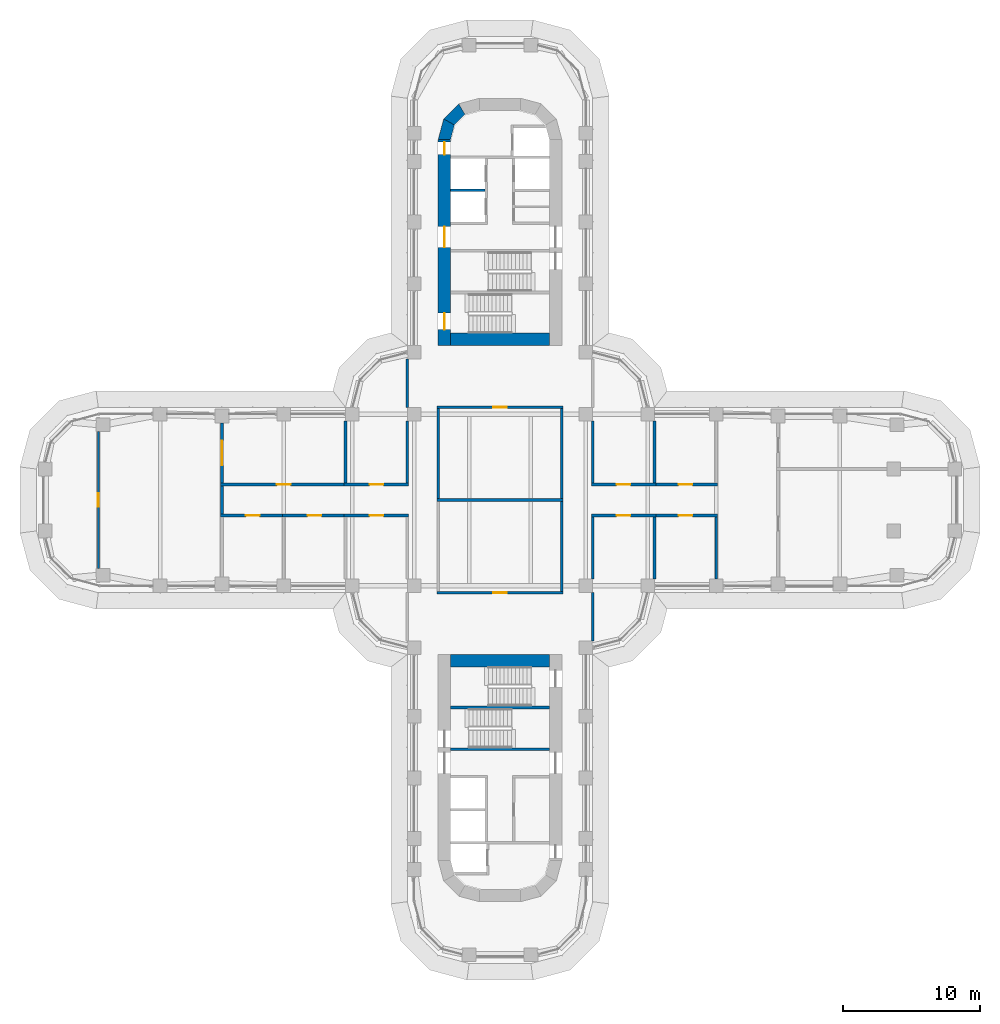
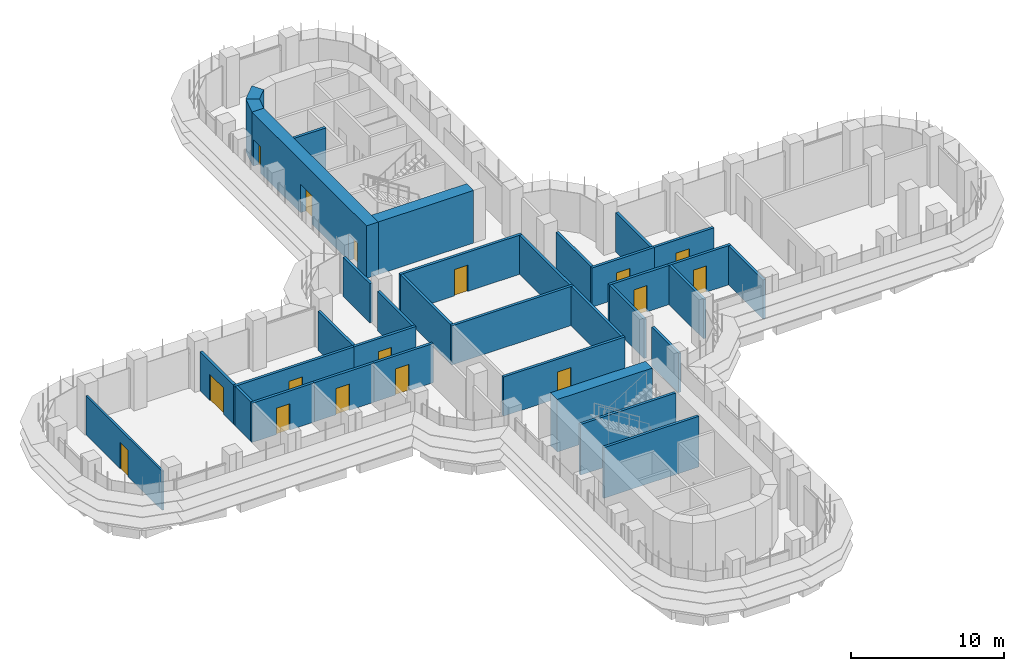
# One storey, part 17 of 23: 35 walls, 16 doors, 16 openings.
"""IFC4 building model written with IfcOpenShell, lengths in metres."""

import ifcopenshell
import ifcopenshell.guid

model = None  # the IFC model being written
_history = None  # IfcOwnerHistory: only IFC2X3 demands one
_inside = {}  # id of a spatial element -> (the spatial element, [elements in it])
_under = {}  # id of a project, library or spatial element -> (it, [spatial elements below it])
_declared = {}  # id of a project -> (the project, [libraries it declares])
_typed = {}  # id of a type object -> (the type object, [elements of that type])
_made_of = {}  # id of a material, layer set ... -> (it, [elements and type objects made of it])


def new_model(schema):
    """Start an empty IFC model of exactly this schema.

    Asked for "IFC4X3", IfcOpenShell would pick the latest addendum, in which some entities
    have other attributes; the version numbers below select the first issue.
    IFC2X3 requires an IfcOwnerHistory on every rooted entity: one is made here for all.
    """
    global model, _history
    if schema == "IFC4X3":
        model = ifcopenshell.file(schema_version=(4, 3, 0, 0))
    else:
        model = ifcopenshell.file(schema=schema)
    _inside.clear()
    _under.clear()
    _declared.clear()
    _typed.clear()
    _made_of.clear()
    _history = None
    if model.schema == "IFC2X3":
        org = make("IfcOrganization", Name="unknown")
        user = make(
            "IfcPersonAndOrganization",
            ThePerson=make("IfcPerson", FamilyName="unknown"),
            TheOrganization=org,
        )
        app = make(
            "IfcApplication",
            ApplicationDeveloper=org,
            Version="unknown",
            ApplicationFullName="unknown",
            ApplicationIdentifier="unknown",
        )
        _history = make(
            "IfcOwnerHistory",
            OwningUser=user,
            OwningApplication=app,
            ChangeAction="ADDED",
            CreationDate=0,
        )
    return model


def make(cls, **values):
    """One entity of the class cls with the attributes given. An attribute that is None is left unset."""
    return model.create_entity(
        cls, **{name: value for name, value in values.items() if value is not None}
    )


def rooted(cls, **values):
    """An entity with a GlobalId (a new one), such as an element, a storey or a relation."""
    return make(cls, GlobalId=ifcopenshell.guid.new(), OwnerHistory=_history, **values)


def si_unit(unit_type, name, prefix=None):
    """IfcSIUnit, for example si_unit("LENGTHUNIT", "METRE", prefix="MILLI")."""
    return make("IfcSIUnit", UnitType=unit_type, Prefix=prefix, Name=name)


def assignment(units):
    """IfcUnitAssignment: the units of a project."""
    return None if units is None else make("IfcUnitAssignment", Units=units)


def point(xyz):
    """IfcCartesianPoint."""
    return None if xyz is None else make("IfcCartesianPoint", Coordinates=xyz)


def direction(xyz):
    """IfcDirection."""
    return None if xyz is None else make("IfcDirection", DirectionRatios=xyz)


def frame(location, z_axis=None, x_axis=None):
    """IfcAxis2Placement3D, a coordinate frame: its origin and axes. An axis left out is left unset."""
    return make(
        "IfcAxis2Placement3D",
        Location=point(location),
        Axis=direction(z_axis),
        RefDirection=direction(x_axis),
    )


def frame_2d(location, x_axis=None):
    """IfcAxis2Placement2D, a coordinate frame in the plane: its origin and x axis."""
    return make(
        "IfcAxis2Placement2D", Location=point(location), RefDirection=direction(x_axis)
    )


def origin():
    """The frame at (0, 0, 0) with its axes left unset."""
    return frame((0.0, 0.0, 0.0))


def place(relative_to, where):
    """IfcLocalPlacement: puts the frame where relative to a parent placement (None: the world)."""
    return make(
        "IfcLocalPlacement", PlacementRelTo=relative_to, RelativePlacement=where
    )


def context(
    kind, dimensions, precision=None, world=None, true_north=None, identifier=None
):
    """IfcGeometricRepresentationContext, for example the 3D "Model" context."""
    return make(
        "IfcGeometricRepresentationContext",
        ContextIdentifier=identifier,
        ContextType=kind,
        CoordinateSpaceDimension=dimensions,
        Precision=precision,
        WorldCoordinateSystem=world,
        TrueNorth=true_north,
    )


def subcontext(parent, identifier, kind, view, scale=None):
    """IfcGeometricRepresentationSubContext, for example "Body" below "Model"."""
    return make(
        "IfcGeometricRepresentationSubContext",
        ContextIdentifier=identifier,
        ContextType=kind,
        ParentContext=parent,
        TargetScale=scale,
        TargetView=view,
    )


def project(units=None, contexts=None):
    """IfcProject with its units and contexts."""
    return rooted(
        "IfcProject",
        Name="project",
        RepresentationContexts=contexts,
        UnitsInContext=assignment(units),
    )


def spatial(cls, under=None, at=None, **own):
    """A site, building, storey or space (cls), placed at a placement, below another one or the project."""
    s = rooted(cls, ObjectPlacement=at, **own)
    if under is not None:
        _under.setdefault(under.id(), (under, []))[1].append(s)
    return s


def polyline(points):
    """IfcPolyline through the points."""
    return make("IfcPolyline", Points=[point(p) for p in points])


def profile(cls, at=None, kind="AREA", **sizes):
    """A parametric profile (cls). Its sizes go by their IFC names, for example OverallWidth=200.0."""
    return make(cls, ProfileType=kind, Position=at, **sizes)


def rectangle(**sizes):
    """IfcRectangleProfileDef."""
    return profile("IfcRectangleProfileDef", **sizes)


def outline(outer, holes=None, kind="AREA"):
    """IfcArbitraryClosedProfileDef: a profile drawn as a closed curve; with holes, ...WithVoids."""
    if holes is None:
        return make("IfcArbitraryClosedProfileDef", ProfileType=kind, OuterCurve=outer)
    return make(
        "IfcArbitraryProfileDefWithVoids",
        ProfileType=kind,
        OuterCurve=outer,
        InnerCurves=holes,
    )


def extrude(swept, where, along, depth):
    """IfcExtrudedAreaSolid: the profile swept, set in the frame where, extruded along a direction by depth."""
    return make(
        "IfcExtrudedAreaSolid",
        SweptArea=swept,
        Position=where,
        ExtrudedDirection=direction(along),
        Depth=depth,
    )


def shape(context_of_items, identifier, shape_type, items):
    """IfcShapeRepresentation: the items that make up one representation, for example the "Body"."""
    return make(
        "IfcShapeRepresentation",
        ContextOfItems=context_of_items,
        RepresentationIdentifier=identifier,
        RepresentationType=shape_type,
        Items=items,
    )


def material(Name=None, Category=None):
    """IfcMaterial."""
    return make("IfcMaterial", Name=Name, Category=Category)


def layer(
    of_material, thickness, ventilated=None, Name=None, Category=None, Priority=None
):
    """IfcMaterialLayer: one layer of a wall or slab, of a material (None: an air gap)."""
    return make(
        "IfcMaterialLayer",
        Material=of_material,
        LayerThickness=thickness,
        IsVentilated=ventilated,
        Name=Name,
        Category=Category,
        Priority=Priority,
    )


def layer_set(layers, Name=None):
    """IfcMaterialLayerSet."""
    return make("IfcMaterialLayerSet", MaterialLayers=layers, LayerSetName=Name)


def made_of(thing, what):
    """Note that an element or type object is made of a material, layer set ...; save() writes the relation."""
    if what is not None:
        _made_of.setdefault(what.id(), (what, []))[1].append(thing)
    return thing


def type_object(cls, material=None, **own):
    """A type object (cls), such as IfcWallType, which elements share."""
    return made_of(rooted(cls, **own), material)


def element(
    cls,
    number,
    at=None,
    inside=None,
    cuts=None,
    type_object=None,
    material=None,
    context=None,
    identifier="Body",
    shape_type=None,
    held_by="IfcProductDefinitionShape",
    body=None,
    shapes=None,
    **own,
):
    """One element of the class cls, such as IfcWall. Its Tag is "e" and its number.

    at: its placement. inside: the storey or other place that contains it. cuts: it is an
    opening in that element (IfcRelVoidsElement). A single representation is given by context,
    identifier, shape_type and body (its items); several are given by shapes. held_by: the class
    of the entity that holds the representations. save() writes the other relations.
    """
    e = rooted(cls, Tag="e%d" % number, ObjectPlacement=at, **own)
    if body is not None:
        shapes = [shape(context, identifier, shape_type, body)]
    if shapes is not None:
        e.Representation = make(held_by, Representations=shapes)
    if inside is not None:
        _inside.setdefault(inside.id(), (inside, []))[1].append(e)
    if cuts is not None:
        rooted(
            "IfcRelVoidsElement", RelatingBuildingElement=cuts, RelatedOpeningElement=e
        )
    if type_object is not None:
        _typed.setdefault(type_object.id(), (type_object, []))[1].append(e)
    return made_of(e, material)


def fill(opening, filler):
    """IfcRelFillsElement: the door or window that sits in an opening."""
    return rooted(
        "IfcRelFillsElement",
        RelatingOpeningElement=opening,
        RelatedBuildingElement=filler,
    )


def aggregate(whole, parts):
    """IfcRelAggregates: a whole, such as a stair, and the parts it consists of."""
    return rooted("IfcRelAggregates", RelatingObject=whole, RelatedObjects=parts)


def save(model, path):
    """Write the relations noted so far, then the file.

    IfcRelAggregates (storeys below a building ...), IfcRelContainedInSpatialStructure (elements
    in a storey), IfcRelDefinesByType, IfcRelAssociatesMaterial and IfcRelDeclares: one each for
    every whole, place, type object, material and project.
    """
    for whole, parts in _under.values():
        aggregate(whole, parts)
    for where, things in _inside.values():
        rooted(
            "IfcRelContainedInSpatialStructure",
            RelatedElements=things,
            RelatingStructure=where,
        )
    for kind, things in _typed.values():
        rooted("IfcRelDefinesByType", RelatedObjects=things, RelatingType=kind)
    for what, things in _made_of.values():
        rooted("IfcRelAssociatesMaterial", RelatedObjects=things, RelatingMaterial=what)
    for by, libraries in _declared.values():
        rooted("IfcRelDeclares", RelatingContext=by, RelatedDefinitions=libraries)
    model.write(path)


model = new_model("IFC4")

# Units and contexts
model_context = context("Model", 3, precision=1e-05, world=origin(), true_north=direction((0.0, 1.0)))
body_context = subcontext(model_context, "Body", "Model", "MODEL_VIEW")
ifc_project = project(units=[si_unit("LENGTHUNIT", "METRE"), si_unit("AREAUNIT", "SQUARE_METRE"), si_unit("VOLUMEUNIT", "CUBIC_METRE"), si_unit("PLANEANGLEUNIT", "RADIAN"), si_unit("MASSUNIT", "GRAM", prefix="KILO")], contexts=[model_context])

# Site, building, storey
site_placement = place(None, origin())
site = spatial("IfcSite", under=ifc_project, at=site_placement, CompositionType="ELEMENT")
building_placement = place(site_placement, origin())
building = spatial("IfcBuilding", under=site, at=building_placement, Name="Zarbagh Exchange Tower", CompositionType="ELEMENT")
storey_placement = place(building_placement, frame((0.0, 0.0, 43.800048828125)))
storey = spatial("IfcBuildingStorey", under=building, at=storey_placement, Name="L09", CompositionType="ELEMENT", Elevation=43.800048828125)

# Wall, opening, door
ifc_material_1 = material(Name="Plasterboard partition")
ifc_layer_1 = layer(ifc_material_1, 0.14990234375)
ifc_layer_set_1 = layer_set([ifc_layer_1], Name="PARTITION 150")
wall_type_1 = type_object("IfcWallType", Name="PARTITION 150", PredefinedType="PARTITIONING", material=ifc_layer_set_1)
wall_1_placement = place(storey_placement, frame((-29.25, -4.97509765625, 0.0), z_axis=(0.0, 0.0, 1.0), x_axis=(0.0, 1.0, 0.0)))
wall_1 = element("IfcWall", 1, at=wall_1_placement, inside=storey, type_object=wall_type_1, Name="Partition W-339", PredefinedType="PARTITIONING", context=body_context, shape_type="SweptSolid", body=[
    extrude(rectangle(XDim=9.9501953125, YDim=0.14990234375, at=frame_2d((4.97509765625, 0.0))), origin(), (0.0, 0.0, 1.0), 3.13037109375),
])
opening_1_placement = place(wall_1_placement, frame((4.47509765625, 0.0, 0.0)))
opening_1 = element("IfcOpeningElement", 2, at=opening_1_placement, cuts=wall_1, Name="Opening D-309", PredefinedType="OPENING", context=body_context, shape_type="SweptSolid", body=[
    extrude(rectangle(XDim=1.0, YDim=2.10009765625, at=frame_2d((0.5, 1.050048828125))), frame((0.0, 0.0849609375, 0.0), z_axis=(0.0, -1.0, 0.0), x_axis=(1.0, 0.0, 0.0)), (0.0, 0.0, 1.0), 0.169921875),
])
ifc_material_2 = material(Name="Timber door leaf", Category="wood")
door_type_1 = type_object("IfcDoorType", Name="DOOR 1000 X 2100", OperationType="NOTDEFINED", PredefinedType="DOOR", material=ifc_material_2)
door_1_placement = place(opening_1_placement, origin())
door_1 = element("IfcDoor", 3, at=door_1_placement, inside=storey, type_object=door_type_1, Name="Door D-309", OperationType="SINGLE_SWING_RIGHT", OverallHeight=2.10009765625, OverallWidth=1.0, PredefinedType="DOOR", context=body_context, shape_type="SweptSolid", body=[
    extrude(rectangle(XDim=1.0, YDim=2.10009765625, at=frame_2d((0.5, 1.050048828125))), frame((0.0, 0.02490234375, 0.0), z_axis=(0.0, -1.0, 0.0), x_axis=(1.0, 0.0, 0.0)), (0.0, 0.0, 1.0), 0.050048828125),
])
fill(opening_1, door_1)

# Walls
ifc_material_3 = material(Name="Fire-rated plasterboard partition")
ifc_layer_2 = layer(ifc_material_3, 0.199951171875)
ifc_layer_set_2 = layer_set([ifc_layer_2], Name="RATED PARTITION 200")
wall_type_2 = type_object("IfcWallType", Name="RATED PARTITION 200", PredefinedType="PARTITIONING", material=ifc_layer_set_2)
wall_2_placement = place(storey_placement, frame((-4.5, 0.10009765625, 0.0), z_axis=(0.0, 0.0, 1.0), x_axis=(0.0, 1.0, 0.0)))
element("IfcWall", 4, at=wall_2_placement, inside=storey, type_object=wall_type_2, Name="Partition W-301", PredefinedType="PARTITIONING", context=body_context, shape_type="SweptSolid", body=[
    extrude(rectangle(XDim=6.5498046875, YDim=0.199951171875, at=frame_2d((3.27490234375, 0.0))), origin(), (0.0, 0.0, 1.0), 3.13037109375),
])
wall_3_placement = place(storey_placement, frame((-6.75, 1.22509765625, 0.0), z_axis=(0.0, 0.0, 1.0), x_axis=(0.0, 1.0, 0.0)))
element("IfcWall", 5, at=wall_3_placement, inside=storey, type_object=wall_type_2, Name="Partition W-303", PredefinedType="PARTITIONING", context=body_context, shape_type="SweptSolid", body=[
    extrude(rectangle(XDim=4.52490234375, YDim=0.199951171875, at=frame_2d((2.262451171875, 0.0))), origin(), (0.0, 0.0, 1.0), 3.13037109375),
])
wall_4_placement = place(storey_placement, frame((-6.75, 6.75, 0.0), z_axis=(0.0, 0.0, 1.0), x_axis=(0.0, 1.0, 0.0)))
element("IfcWall", 6, at=wall_4_placement, inside=storey, type_object=wall_type_2, Name="Partition W-304", PredefinedType="PARTITIONING", context=body_context, shape_type="SweptSolid", body=[
    extrude(rectangle(XDim=3.5, YDim=0.199951171875, at=frame_2d((1.75, 0.0))), origin(), (0.0, 0.0, 1.0), 3.13037109375),
])
for number, where, z_axis, x_axis, name in (
    (7, (4.5, 0.10009765625, 0.0), (0.0, 0.0, 1.0), (0.0, 1.0, 0.0), "Partition W-307"),
    (8, (4.5, -6.64990234375, 0.0), (0.0, 0.0, 1.0), (0.0, 1.0, 0.0), "Partition W-308"),
):
    element("IfcWall", number, at=place(storey_placement, frame(where, z_axis=z_axis, x_axis=x_axis)), inside=storey, type_object=wall_type_2, Name=name, PredefinedType="PARTITIONING", context=body_context, shape_type="SweptSolid", body=[
        extrude(rectangle(XDim=6.5498046875, YDim=0.199951171875, at=frame_2d((3.27490234375, 0.0))), origin(), (0.0, 0.0, 1.0), 3.13037109375),
    ])
wall_5_placement = place(storey_placement, frame((6.75, 1.22509765625, 0.0), z_axis=(0.0, 0.0, 1.0), x_axis=(0.0, 1.0, 0.0)))
element("IfcWall", 9, at=wall_5_placement, inside=storey, type_object=wall_type_2, Name="Partition W-309", PredefinedType="PARTITIONING", context=body_context, shape_type="SweptSolid", body=[
    extrude(rectangle(XDim=4.52490234375, YDim=0.199951171875, at=frame_2d((2.262451171875, 0.0))), origin(), (0.0, 0.0, 1.0), 3.13037109375),
])
wall_6_placement = place(storey_placement, frame((6.75, -10.25, 0.0), z_axis=(0.0, 0.0, 1.0), x_axis=(0.0, 1.0, 0.0)))
element("IfcWall", 10, at=wall_6_placement, inside=storey, type_object=wall_type_2, Name="Partition W-311", PredefinedType="PARTITIONING", context=body_context, shape_type="SweptSolid", body=[
    extrude(rectangle(XDim=3.5, YDim=0.199951171875, at=frame_2d((1.75, 0.0))), origin(), (0.0, 0.0, 1.0), 3.13037109375),
])
wall_7_placement = place(storey_placement, frame((6.75, -5.75, 0.0), z_axis=(0.0, 0.0, 1.0), x_axis=(0.0, 1.0, 0.0)))
element("IfcWall", 11, at=wall_7_placement, inside=storey, type_object=wall_type_2, Name="Partition W-312", PredefinedType="PARTITIONING", context=body_context, shape_type="SweptSolid", body=[
    extrude(rectangle(XDim=4.52490234375, YDim=0.199951171875, at=frame_2d((2.262451171875, 0.0))), origin(), (0.0, 0.0, 1.0), 3.13037109375),
])

# Wall, opening, door
wall_8_placement = place(storey_placement, frame((4.60009765625, 6.75, 0.0), z_axis=(0.0, 0.0, 1.0), x_axis=(-1.0, 0.0, 0.0)))
wall_8 = element("IfcWall", 12, at=wall_8_placement, inside=storey, type_object=wall_type_2, Name="Partition W-313", PredefinedType="PARTITIONING", context=body_context, shape_type="SweptSolid", body=[
    extrude(rectangle(XDim=9.2001953125, YDim=0.199951171875, at=frame_2d((4.60009765625, 0.0))), origin(), (0.0, 0.0, 1.0), 3.13037109375),
])
opening_2_placement = place(wall_8_placement, frame((4.10009765625, 0.0, 0.0)))
opening_2 = element("IfcOpeningElement", 13, at=opening_2_placement, cuts=wall_8, Name="Opening D-301", PredefinedType="OPENING", context=body_context, shape_type="SweptSolid", body=[
    extrude(rectangle(XDim=1.0, YDim=2.10009765625, at=frame_2d((0.5, 1.050048828125))), frame((0.0, 0.10986328125, 0.0), z_axis=(0.0, -1.0, 0.0), x_axis=(1.0, 0.0, 0.0)), (0.0, 0.0, 1.0), 0.219970703125),
])
ifc_material_4 = material(Name="Steel door set", Category="steel")
door_type_2 = type_object("IfcDoorType", Name="FIRE DOOR 1000 X 2100 FD30S", OperationType="NOTDEFINED", PredefinedType="DOOR", material=ifc_material_4)
door_2_placement = place(opening_2_placement, origin())
door_2 = element("IfcDoor", 14, at=door_2_placement, inside=storey, type_object=door_type_2, Name="Door D-301", OperationType="SINGLE_SWING_RIGHT", OverallHeight=2.10009765625, OverallWidth=1.0, PredefinedType="DOOR", context=body_context, shape_type="SweptSolid", body=[
    extrude(rectangle(XDim=1.0, YDim=2.10009765625, at=frame_2d((0.5, 1.050048828125))), frame((0.0, 0.02490234375, 0.0), z_axis=(0.0, -1.0, 0.0), x_axis=(1.0, 0.0, 0.0)), (0.0, 0.0, 1.0), 0.050048828125),
])
fill(opening_2, door_2)

wall_9_placement = place(storey_placement, frame((-4.60009765625, -6.75, 0.0), z_axis=(0.0, 0.0, 1.0), x_axis=(1.0, 0.0, 0.0)))
wall_9 = element("IfcWall", 15, at=wall_9_placement, inside=storey, type_object=wall_type_2, Name="Partition W-314", PredefinedType="PARTITIONING", context=body_context, shape_type="SweptSolid", body=[
    extrude(rectangle(XDim=9.2001953125, YDim=0.199951171875, at=frame_2d((4.60009765625, 0.0))), origin(), (0.0, 0.0, 1.0), 3.13037109375),
])
opening_3_placement = place(wall_9_placement, frame((4.10009765625, 0.0, 0.0)))
opening_3 = element("IfcOpeningElement", 16, at=opening_3_placement, cuts=wall_9, Name="Opening D-302", PredefinedType="OPENING", context=body_context, shape_type="SweptSolid", body=[
    extrude(rectangle(XDim=1.0, YDim=2.10009765625, at=frame_2d((0.5, 1.050048828125))), frame((0.0, 0.10986328125, 0.0), z_axis=(0.0, -1.0, 0.0), x_axis=(1.0, 0.0, 0.0)), (0.0, 0.0, 1.0), 0.219970703125),
])
door_3_placement = place(opening_3_placement, origin())
door_3 = element("IfcDoor", 17, at=door_3_placement, inside=storey, type_object=door_type_2, Name="Door D-302", OperationType="SINGLE_SWING_RIGHT", OverallHeight=2.10009765625, OverallWidth=1.0, PredefinedType="DOOR", context=body_context, shape_type="SweptSolid", body=[
    extrude(rectangle(XDim=1.0, YDim=2.10009765625, at=frame_2d((0.5, 1.050048828125))), frame((0.0, 0.02490234375, 0.0), z_axis=(0.0, -1.0, 0.0), x_axis=(1.0, 0.0, 0.0)), (0.0, 0.0, 1.0), 0.050048828125),
])
fill(opening_3, door_3)

# Wall
wall_10_placement = place(storey_placement, frame((-4.60009765625, 0.0, 0.0), z_axis=(0.0, 0.0, 1.0), x_axis=(1.0, 0.0, 0.0)))
element("IfcWall", 18, at=wall_10_placement, inside=storey, type_object=wall_type_2, Name="Partition W-315", PredefinedType="PARTITIONING", context=body_context, shape_type="SweptSolid", body=[
    extrude(rectangle(XDim=9.2001953125, YDim=0.199951171875, at=frame_2d((4.60009765625, 0.0))), origin(), (0.0, 0.0, 1.0), 3.13037109375),
])

# Wall, opening, door
wall_11_placement = place(storey_placement, frame((6.64990234375, 1.125, 0.0), z_axis=(0.0, 0.0, 1.0), x_axis=(1.0, 0.0, 0.0)))
wall_11 = element("IfcWall", 19, at=wall_11_placement, inside=storey, type_object=wall_type_2, Name="Partition W-316", PredefinedType="PARTITIONING", context=body_context, shape_type="SweptSolid", body=[
    extrude(rectangle(XDim=4.7001953125, YDim=0.199951171875, at=frame_2d((2.35009765625, 0.0))), origin(), (0.0, 0.0, 1.0), 3.13037109375),
])
opening_4_placement = place(wall_11_placement, frame((1.85009765625, 0.0, 0.0)))
opening_4 = element("IfcOpeningElement", 20, at=opening_4_placement, cuts=wall_11, Name="Opening D-303", PredefinedType="OPENING", context=body_context, shape_type="SweptSolid", body=[
    extrude(rectangle(XDim=1.0, YDim=2.10009765625, at=frame_2d((0.5, 1.050048828125))), frame((0.0, 0.10986328125, 0.0), z_axis=(0.0, -1.0, 0.0), x_axis=(1.0, 0.0, 0.0)), (0.0, 0.0, 1.0), 0.219970703125),
])
door_4_placement = place(opening_4_placement, origin())
door_4 = element("IfcDoor", 21, at=door_4_placement, inside=storey, type_object=door_type_2, Name="Door D-303", OperationType="SINGLE_SWING_RIGHT", OverallHeight=2.10009765625, OverallWidth=1.0, PredefinedType="DOOR", context=body_context, shape_type="SweptSolid", body=[
    extrude(rectangle(XDim=1.0, YDim=2.10009765625, at=frame_2d((0.5, 1.050048828125))), frame((0.0, 0.02490234375, 0.0), z_axis=(0.0, -1.0, 0.0), x_axis=(1.0, 0.0, 0.0)), (0.0, 0.0, 1.0), 0.050048828125),
])
fill(opening_4, door_4)

wall_12_placement = place(storey_placement, frame((11.35009765625, -1.125, 0.0), z_axis=(0.0, 0.0, 1.0), x_axis=(-1.0, 0.0, 0.0)))
wall_12 = element("IfcWall", 22, at=wall_12_placement, inside=storey, type_object=wall_type_2, Name="Partition W-317", PredefinedType="PARTITIONING", context=body_context, shape_type="SweptSolid", body=[
    extrude(rectangle(XDim=4.7001953125, YDim=0.199951171875, at=frame_2d((2.35009765625, 0.0))), origin(), (0.0, 0.0, 1.0), 3.13037109375),
])
opening_5_placement = place(wall_12_placement, frame((1.85009765625, 0.0, 0.0)))
opening_5 = element("IfcOpeningElement", 23, at=opening_5_placement, cuts=wall_12, Name="Opening D-305", PredefinedType="OPENING", context=body_context, shape_type="SweptSolid", body=[
    extrude(rectangle(XDim=1.0, YDim=2.10009765625, at=frame_2d((0.5, 1.050048828125))), frame((0.0, 0.10986328125, 0.0), z_axis=(0.0, -1.0, 0.0), x_axis=(1.0, 0.0, 0.0)), (0.0, 0.0, 1.0), 0.219970703125),
])
door_5_placement = place(opening_5_placement, origin())
door_5 = element("IfcDoor", 24, at=door_5_placement, inside=storey, type_object=door_type_2, Name="Door D-305", OperationType="SINGLE_SWING_RIGHT", OverallHeight=2.10009765625, OverallWidth=1.0, PredefinedType="DOOR", context=body_context, shape_type="SweptSolid", body=[
    extrude(rectangle(XDim=1.0, YDim=2.10009765625, at=frame_2d((0.5, 1.050048828125))), frame((0.0, 0.02490234375, 0.0), z_axis=(0.0, -1.0, 0.0), x_axis=(1.0, 0.0, 0.0)), (0.0, 0.0, 1.0), 0.050048828125),
])
fill(opening_5, door_5)

wall_13_placement = place(storey_placement, frame((11.14990234375, 1.125, 0.0), z_axis=(0.0, 0.0, 1.0), x_axis=(1.0, 0.0, 0.0)))
wall_13 = element("IfcWall", 25, at=wall_13_placement, inside=storey, type_object=wall_type_2, Name="Partition W-318", PredefinedType="PARTITIONING", context=body_context, shape_type="SweptSolid", body=[
    extrude(rectangle(XDim=4.7001953125, YDim=0.199951171875, at=frame_2d((2.35009765625, 0.0))), origin(), (0.0, 0.0, 1.0), 3.13037109375),
])
opening_6_placement = place(wall_13_placement, frame((1.85009765625, 0.0, 0.0)))
opening_6 = element("IfcOpeningElement", 26, at=opening_6_placement, cuts=wall_13, Name="Opening D-304", PredefinedType="OPENING", context=body_context, shape_type="SweptSolid", body=[
    extrude(rectangle(XDim=1.0, YDim=2.10009765625, at=frame_2d((0.5, 1.050048828125))), frame((0.0, 0.10986328125, 0.0), z_axis=(0.0, -1.0, 0.0), x_axis=(1.0, 0.0, 0.0)), (0.0, 0.0, 1.0), 0.219970703125),
])
door_6_placement = place(opening_6_placement, origin())
door_6 = element("IfcDoor", 27, at=door_6_placement, inside=storey, type_object=door_type_2, Name="Door D-304", OperationType="SINGLE_SWING_RIGHT", OverallHeight=2.10009765625, OverallWidth=1.0, PredefinedType="DOOR", context=body_context, shape_type="SweptSolid", body=[
    extrude(rectangle(XDim=1.0, YDim=2.10009765625, at=frame_2d((0.5, 1.050048828125))), frame((0.0, 0.02490234375, 0.0), z_axis=(0.0, -1.0, 0.0), x_axis=(1.0, 0.0, 0.0)), (0.0, 0.0, 1.0), 0.050048828125),
])
fill(opening_6, door_6)

wall_14_placement = place(storey_placement, frame((15.85009765625, -1.125, 0.0), z_axis=(0.0, 0.0, 1.0), x_axis=(-1.0, 0.0, 0.0)))
wall_14 = element("IfcWall", 28, at=wall_14_placement, inside=storey, type_object=wall_type_2, Name="Partition W-319", PredefinedType="PARTITIONING", context=body_context, shape_type="SweptSolid", body=[
    extrude(rectangle(XDim=4.7001953125, YDim=0.199951171875, at=frame_2d((2.35009765625, 0.0))), origin(), (0.0, 0.0, 1.0), 3.13037109375),
])
opening_7_placement = place(wall_14_placement, frame((1.85009765625, 0.0, 0.0)))
opening_7 = element("IfcOpeningElement", 29, at=opening_7_placement, cuts=wall_14, Name="Opening D-306", PredefinedType="OPENING", context=body_context, shape_type="SweptSolid", body=[
    extrude(rectangle(XDim=1.0, YDim=2.10009765625, at=frame_2d((0.5, 1.050048828125))), frame((0.0, 0.10986328125, 0.0), z_axis=(0.0, -1.0, 0.0), x_axis=(1.0, 0.0, 0.0)), (0.0, 0.0, 1.0), 0.219970703125),
])
door_7_placement = place(opening_7_placement, origin())
door_7 = element("IfcDoor", 30, at=door_7_placement, inside=storey, type_object=door_type_2, Name="Door D-306", OperationType="SINGLE_SWING_RIGHT", OverallHeight=2.10009765625, OverallWidth=1.0, PredefinedType="DOOR", context=body_context, shape_type="SweptSolid", body=[
    extrude(rectangle(XDim=1.0, YDim=2.10009765625, at=frame_2d((0.5, 1.050048828125))), frame((0.0, 0.02490234375, 0.0), z_axis=(0.0, -1.0, 0.0), x_axis=(1.0, 0.0, 0.0)), (0.0, 0.0, 1.0), 0.050048828125),
])
fill(opening_7, door_7)

# Walls
for number, where, z_axis, x_axis, name in (
    (31, (11.25, 1.22509765625, 0.0), (0.0, 0.0, 1.0), (0.0, 1.0, 0.0), "Partition W-320"),
    (32, (11.25, -5.75, 0.0), (0.0, 0.0, 1.0), (0.0, 1.0, 0.0), "Partition W-321"),
    (33, (15.75, -5.75, 0.0), (0.0, 0.0, 1.0), (0.0, 1.0, 0.0), "Partition W-323"),
):
    element("IfcWall", number, at=place(storey_placement, frame(where, z_axis=z_axis, x_axis=x_axis)), inside=storey, type_object=wall_type_2, Name=name, PredefinedType="PARTITIONING", context=body_context, shape_type="SweptSolid", body=[
        extrude(rectangle(XDim=4.52490234375, YDim=0.199951171875, at=frame_2d((2.262451171875, 0.0))), origin(), (0.0, 0.0, 1.0), 3.13037109375),
    ])

# Wall, opening, door
wall_15_placement = place(storey_placement, frame((-11.35009765625, 1.125, 0.0), z_axis=(0.0, 0.0, 1.0), x_axis=(1.0, 0.0, 0.0)))
wall_15 = element("IfcWall", 34, at=wall_15_placement, inside=storey, type_object=wall_type_2, Name="Partition W-328", PredefinedType="PARTITIONING", context=body_context, shape_type="SweptSolid", body=[
    extrude(rectangle(XDim=4.7001953125, YDim=0.199951171875, at=frame_2d((2.35009765625, 0.0))), origin(), (0.0, 0.0, 1.0), 3.13037109375),
])
opening_8_placement = place(wall_15_placement, frame((1.85009765625, 0.0, 0.0)))
opening_8 = element("IfcOpeningElement", 35, at=opening_8_placement, cuts=wall_15, Name="Opening D-311", PredefinedType="OPENING", context=body_context, shape_type="SweptSolid", body=[
    extrude(rectangle(XDim=1.0, YDim=2.10009765625, at=frame_2d((0.5, 1.050048828125))), frame((0.0, 0.10986328125, 0.0), z_axis=(0.0, -1.0, 0.0), x_axis=(1.0, 0.0, 0.0)), (0.0, 0.0, 1.0), 0.219970703125),
])
door_8_placement = place(opening_8_placement, origin())
door_8 = element("IfcDoor", 36, at=door_8_placement, inside=storey, type_object=door_type_2, Name="Door D-311", OperationType="SINGLE_SWING_RIGHT", OverallHeight=2.10009765625, OverallWidth=1.0, PredefinedType="DOOR", context=body_context, shape_type="SweptSolid", body=[
    extrude(rectangle(XDim=1.0, YDim=2.10009765625, at=frame_2d((0.5, 1.050048828125))), frame((0.0, 0.02490234375, 0.0), z_axis=(0.0, -1.0, 0.0), x_axis=(1.0, 0.0, 0.0)), (0.0, 0.0, 1.0), 0.050048828125),
])
fill(opening_8, door_8)

wall_16_placement = place(storey_placement, frame((-6.64990234375, -1.125, 0.0), z_axis=(0.0, 0.0, 1.0), x_axis=(-1.0, 0.0, 0.0)))
wall_16 = element("IfcWall", 37, at=wall_16_placement, inside=storey, type_object=wall_type_2, Name="Partition W-329", PredefinedType="PARTITIONING", context=body_context, shape_type="SweptSolid", body=[
    extrude(rectangle(XDim=4.7001953125, YDim=0.199951171875, at=frame_2d((2.35009765625, 0.0))), origin(), (0.0, 0.0, 1.0), 3.13037109375),
])
opening_9_placement = place(wall_16_placement, frame((1.85009765625, 0.0, 0.0)))
opening_9 = element("IfcOpeningElement", 38, at=opening_9_placement, cuts=wall_16, Name="Opening D-313", PredefinedType="OPENING", context=body_context, shape_type="SweptSolid", body=[
    extrude(rectangle(XDim=1.0, YDim=2.10009765625, at=frame_2d((0.5, 1.050048828125))), frame((0.0, 0.10986328125, 0.0), z_axis=(0.0, -1.0, 0.0), x_axis=(1.0, 0.0, 0.0)), (0.0, 0.0, 1.0), 0.219970703125),
])
door_9_placement = place(opening_9_placement, origin())
door_9 = element("IfcDoor", 39, at=door_9_placement, inside=storey, type_object=door_type_2, Name="Door D-313", OperationType="SINGLE_SWING_RIGHT", OverallHeight=2.10009765625, OverallWidth=1.0, PredefinedType="DOOR", context=body_context, shape_type="SweptSolid", body=[
    extrude(rectangle(XDim=1.0, YDim=2.10009765625, at=frame_2d((0.5, 1.050048828125))), frame((0.0, 0.02490234375, 0.0), z_axis=(0.0, -1.0, 0.0), x_axis=(1.0, 0.0, 0.0)), (0.0, 0.0, 1.0), 0.050048828125),
])
fill(opening_9, door_9)

wall_17_placement = place(storey_placement, frame((-20.35009765625, 1.125, 0.0), z_axis=(0.0, 0.0, 1.0), x_axis=(1.0, 0.0, 0.0)))
wall_17 = element("IfcWall", 40, at=wall_17_placement, inside=storey, type_object=wall_type_2, Name="Partition W-330", PredefinedType="PARTITIONING", context=body_context, shape_type="SweptSolid", body=[
    extrude(rectangle(XDim=9.2001953125, YDim=0.199951171875, at=frame_2d((4.60009765625, 0.0))), origin(), (0.0, 0.0, 1.0), 3.13037109375),
])
opening_10_placement = place(wall_17_placement, frame((4.10009765625, 0.0, 0.0)))
opening_10 = element("IfcOpeningElement", 41, at=opening_10_placement, cuts=wall_17, Name="Opening D-312", PredefinedType="OPENING", context=body_context, shape_type="SweptSolid", body=[
    extrude(rectangle(XDim=1.0, YDim=2.10009765625, at=frame_2d((0.5, 1.050048828125))), frame((0.0, 0.10986328125, 0.0), z_axis=(0.0, -1.0, 0.0), x_axis=(1.0, 0.0, 0.0)), (0.0, 0.0, 1.0), 0.219970703125),
])
door_10_placement = place(opening_10_placement, origin())
door_10 = element("IfcDoor", 42, at=door_10_placement, inside=storey, type_object=door_type_2, Name="Door D-312", OperationType="SINGLE_SWING_RIGHT", OverallHeight=2.10009765625, OverallWidth=1.0, PredefinedType="DOOR", context=body_context, shape_type="SweptSolid", body=[
    extrude(rectangle(XDim=1.0, YDim=2.10009765625, at=frame_2d((0.5, 1.050048828125))), frame((0.0, 0.02490234375, 0.0), z_axis=(0.0, -1.0, 0.0), x_axis=(1.0, 0.0, 0.0)), (0.0, 0.0, 1.0), 0.050048828125),
])
fill(opening_10, door_10)

wall_18_placement = place(storey_placement, frame((-11.14990234375, -1.125, 0.0), z_axis=(0.0, 0.0, 1.0), x_axis=(-1.0, 0.0, 0.0)))
wall_18 = element("IfcWall", 43, at=wall_18_placement, inside=storey, type_object=wall_type_2, Name="Partition W-331", PredefinedType="PARTITIONING", context=body_context, shape_type="SweptSolid", body=[
    extrude(rectangle(XDim=4.7001953125, YDim=0.199951171875, at=frame_2d((2.35009765625, 0.0))), origin(), (0.0, 0.0, 1.0), 3.13037109375),
])
opening_11_placement = place(wall_18_placement, frame((1.85009765625, 0.0, 0.0)))
opening_11 = element("IfcOpeningElement", 44, at=opening_11_placement, cuts=wall_18, Name="Opening D-314", PredefinedType="OPENING", context=body_context, shape_type="SweptSolid", body=[
    extrude(rectangle(XDim=1.0, YDim=2.10009765625, at=frame_2d((0.5, 1.050048828125))), frame((0.0, 0.10986328125, 0.0), z_axis=(0.0, -1.0, 0.0), x_axis=(1.0, 0.0, 0.0)), (0.0, 0.0, 1.0), 0.219970703125),
])
door_11_placement = place(opening_11_placement, origin())
door_11 = element("IfcDoor", 45, at=door_11_placement, inside=storey, type_object=door_type_2, Name="Door D-314", OperationType="SINGLE_SWING_RIGHT", OverallHeight=2.10009765625, OverallWidth=1.0, PredefinedType="DOOR", context=body_context, shape_type="SweptSolid", body=[
    extrude(rectangle(XDim=1.0, YDim=2.10009765625, at=frame_2d((0.5, 1.050048828125))), frame((0.0, 0.02490234375, 0.0), z_axis=(0.0, -1.0, 0.0), x_axis=(1.0, 0.0, 0.0)), (0.0, 0.0, 1.0), 0.050048828125),
])
fill(opening_11, door_11)

wall_19_placement = place(storey_placement, frame((-15.64990234375, -1.125, 0.0), z_axis=(0.0, 0.0, 1.0), x_axis=(-1.0, 0.0, 0.0)))
wall_19 = element("IfcWall", 46, at=wall_19_placement, inside=storey, type_object=wall_type_2, Name="Partition W-332", PredefinedType="PARTITIONING", context=body_context, shape_type="SweptSolid", body=[
    extrude(rectangle(XDim=4.7001953125, YDim=0.199951171875, at=frame_2d((2.35009765625, 0.0))), origin(), (0.0, 0.0, 1.0), 3.13037109375),
])
opening_12_placement = place(wall_19_placement, frame((1.85009765625, 0.0, 0.0)))
opening_12 = element("IfcOpeningElement", 47, at=opening_12_placement, cuts=wall_19, Name="Opening D-315", PredefinedType="OPENING", context=body_context, shape_type="SweptSolid", body=[
    extrude(rectangle(XDim=1.0, YDim=2.10009765625, at=frame_2d((0.5, 1.050048828125))), frame((0.0, 0.10986328125, 0.0), z_axis=(0.0, -1.0, 0.0), x_axis=(1.0, 0.0, 0.0)), (0.0, 0.0, 1.0), 0.219970703125),
])
door_12_placement = place(opening_12_placement, origin())
door_12 = element("IfcDoor", 48, at=door_12_placement, inside=storey, type_object=door_type_2, Name="Door D-315", OperationType="SINGLE_SWING_LEFT", OverallHeight=2.10009765625, OverallWidth=1.0, PredefinedType="DOOR", context=body_context, shape_type="SweptSolid", body=[
    extrude(rectangle(XDim=1.0, YDim=2.10009765625, at=frame_2d((0.5, 1.050048828125))), frame((0.0, 0.02490234375, 0.0), z_axis=(0.0, -1.0, 0.0), x_axis=(1.0, 0.0, 0.0)), (0.0, 0.0, 1.0), 0.050048828125),
])
fill(opening_12, door_12)

# Walls
wall_20_placement = place(storey_placement, frame((-20.25, -1.02490234375, 0.0), z_axis=(0.0, 0.0, 1.0), x_axis=(0.0, 1.0, 0.0)))
element("IfcWall", 49, at=wall_20_placement, inside=storey, type_object=wall_type_2, Name="Partition W-333", PredefinedType="PARTITIONING", context=body_context, shape_type="SweptSolid", body=[
    extrude(rectangle(XDim=2.0498046875, YDim=0.199951171875, at=frame_2d((1.02490234375, 0.0))), origin(), (0.0, 0.0, 1.0), 3.13037109375),
])
wall_21_placement = place(storey_placement, frame((-11.25, 1.22509765625, 0.0), z_axis=(0.0, 0.0, 1.0), x_axis=(0.0, 1.0, 0.0)))
element("IfcWall", 50, at=wall_21_placement, inside=storey, type_object=wall_type_2, Name="Partition W-334", PredefinedType="PARTITIONING", context=body_context, shape_type="SweptSolid", body=[
    extrude(rectangle(XDim=4.52490234375, YDim=0.199951171875, at=frame_2d((2.262451171875, 0.0))), origin(), (0.0, 0.0, 1.0), 3.13037109375),
])

# Wall, opening, door
wall_22_placement = place(storey_placement, frame((-20.25, 1.22509765625, 0.0), z_axis=(0.0, 0.0, 1.0), x_axis=(0.0, 1.0, 0.0)))
wall_22 = element("IfcWall", 51, at=wall_22_placement, inside=storey, type_object=wall_type_2, Name="Partition W-336", PredefinedType="PARTITIONING", context=body_context, shape_type="SweptSolid", body=[
    extrude(rectangle(XDim=4.385009765625, YDim=0.199951171875, at=frame_2d((2.1923828125, 0.0))), origin(), (0.0, 0.0, 1.0), 3.13037109375),
])
opening_13_placement = place(wall_22_placement, frame((1.29248046875, 0.0, 0.0)))
opening_13 = element("IfcOpeningElement", 52, at=opening_13_placement, cuts=wall_22, Name="Opening D-310", PredefinedType="OPENING", context=body_context, shape_type="SweptSolid", body=[
    extrude(rectangle(XDim=1.800048828125, YDim=2.10009765625, at=frame_2d((0.89990234375, 1.050048828125))), frame((0.0, 0.10986328125, 0.0), z_axis=(0.0, -1.0, 0.0), x_axis=(1.0, 0.0, 0.0)), (0.0, 0.0, 1.0), 0.219970703125),
])
door_type_3 = type_object("IfcDoorType", Name="FIRE DOUBLE DOOR 1800 X 2100 FD30S", OperationType="DOUBLE_DOOR_SINGLE_SWING", PredefinedType="DOOR", material=ifc_material_4)
door_13_placement = place(opening_13_placement, origin())
door_13 = element("IfcDoor", 53, at=door_13_placement, inside=storey, type_object=door_type_3, Name="Door D-310", OperationType="DOUBLE_DOOR_SINGLE_SWING", OverallHeight=2.10009765625, OverallWidth=1.800048828125, PredefinedType="DOOR", context=body_context, shape_type="SweptSolid", body=[
    extrude(rectangle(XDim=1.800048828125, YDim=2.10009765625, at=frame_2d((0.89990234375, 1.050048828125))), frame((0.0, 0.02490234375, 0.0), z_axis=(0.0, -1.0, 0.0), x_axis=(1.0, 0.0, 0.0)), (0.0, 0.0, 1.0), 0.050048828125),
])
fill(opening_13, door_13)

# Walls
ifc_material_5 = material(Name="Concrete C60/75", Category="concrete")
ifc_layer_3 = layer(ifc_material_5, 0.89990234375)
ifc_layer_set_3 = layer_set([ifc_layer_3], Name="RC core corner wall 900 C60/75")
wall_type_3 = type_object("IfcWallType", Name="RC core corner wall 900 C60/75", PredefinedType="SHEAR", material=ifc_layer_set_3)
wall_23_placement = place(storey_placement, origin())
element("IfcWall", 54, at=wall_23_placement, inside=storey, type_object=wall_type_3, Name="CW2 core N corner W", PredefinedType="SHEAR", context=body_context, shape_type="SweptSolid", body=[
    extrude(outline(polyline([(-4.5, 26.25), (-4.09814453125, 27.75), (-3.318603515625, 27.300048828125), (-3.60009765625, 26.25), (-4.5, 26.25)])), origin(), (0.0, 0.0, 1.0), 4.199951171875),
])
wall_24_placement = place(storey_placement, origin())
element("IfcWall", 55, at=wall_24_placement, inside=storey, type_object=wall_type_3, Name="CW2 core N corner W", PredefinedType="SHEAR", context=body_context, shape_type="SweptSolid", body=[
    extrude(outline(polyline([(-4.09814453125, 27.75), (-3.0, 28.84814453125), (-2.550048828125, 28.068603515625), (-3.318603515625, 27.300048828125), (-4.09814453125, 27.75)])), origin(), (0.0, 0.0, 1.0), 4.199951171875),
])

# Wall, openings, doors
ifc_layer_4 = layer(ifc_material_5, 0.89990234375)
ifc_layer_set_4 = layer_set([ifc_layer_4], Name="RC core wall 900 C60/75")
wall_type_4 = type_object("IfcWallType", Name="RC core wall 900 C60/75", PredefinedType="SHEAR", material=ifc_layer_set_4)
wall_25_placement = place(storey_placement, frame((-4.050048828125, 11.25, 0.0), z_axis=(0.0, 0.0, 1.0), x_axis=(0.0, 1.0, 0.0)))
wall_25 = element("IfcWall", 56, at=wall_25_placement, inside=storey, type_object=wall_type_4, Name="CW1 core N W", PredefinedType="SHEAR", context=body_context, shape_type="SweptSolid", body=[
    extrude(rectangle(XDim=15.0, YDim=0.89990234375, at=frame_2d((7.5, 0.0))), origin(), (0.0, 0.0, 1.0), 4.199951171875),
])
opening_14_placement = place(wall_25_placement, frame((7.14990234375, 0.0, 0.0)))
opening_14 = element("IfcOpeningElement", 57, at=opening_14_placement, cuts=wall_25, Name="Opening CD1-1500", PredefinedType="OPENING", context=body_context, shape_type="SweptSolid", body=[
    extrude(rectangle(XDim=1.5, YDim=2.300048828125, at=frame_2d((0.75, 1.14990234375))), frame((0.0, 0.4599609375, 0.0), z_axis=(0.0, -1.0, 0.0), x_axis=(1.0, 0.0, 0.0)), (0.0, 0.0, 1.0), 0.919921875),
])
opening_15_placement = place(wall_25_placement, frame((13.89990234375, 0.0, 0.0)))
opening_15 = element("IfcOpeningElement", 58, at=opening_15_placement, cuts=wall_25, Name="Opening CD2-900", PredefinedType="OPENING", context=body_context, shape_type="SweptSolid", body=[
    extrude(rectangle(XDim=0.89990234375, YDim=2.10009765625, at=frame_2d((0.449951171875, 1.050048828125))), frame((0.0, 0.4599609375, 0.0), z_axis=(0.0, -1.0, 0.0), x_axis=(1.0, 0.0, 0.0)), (0.0, 0.0, 1.0), 0.919921875),
])
opening_16_placement = place(wall_25_placement, frame((1.14990234375, 0.0, 0.0)))
opening_16 = element("IfcOpeningElement", 59, at=opening_16_placement, cuts=wall_25, Name="Opening SD1-1200", PredefinedType="OPENING", context=body_context, shape_type="SweptSolid", body=[
    extrude(rectangle(XDim=1.199951171875, YDim=2.10009765625, at=frame_2d((0.60009765625, 1.050048828125))), frame((0.0, 0.4599609375, 0.0), z_axis=(0.0, -1.0, 0.0), x_axis=(1.0, 0.0, 0.0)), (0.0, 0.0, 1.0), 0.919921875),
])
ifc_material_6 = material(Name="Steel", Category="steel")
door_type_4 = type_object("IfcDoorType", Name="Exit stair door 1200 x 2100", OperationType="NOTDEFINED", PredefinedType="DOOR", material=ifc_material_6)
door_14_placement = place(opening_16_placement, origin())
door_14 = element("IfcDoor", 60, at=door_14_placement, inside=storey, type_object=door_type_4, Name="North core stair door ST2", OperationType="SINGLE_SWING_LEFT", OverallHeight=2.10009765625, OverallWidth=1.199951171875, PredefinedType="DOOR", context=body_context, shape_type="SweptSolid", body=[
    extrude(rectangle(XDim=1.199951171875, YDim=2.10009765625, at=frame_2d((0.60009765625, 1.050048828125))), frame((0.0, 0.02490234375, 0.0), z_axis=(0.0, -1.0, 0.0), x_axis=(1.0, 0.0, 0.0)), (0.0, 0.0, 1.0), 0.050048828125),
])
fill(opening_16, door_14)
door_type_5 = type_object("IfcDoorType", Name="Firefighting lobby door 900 x 2100", OperationType="NOTDEFINED", PredefinedType="DOOR", material=ifc_material_6)
door_15_placement = place(opening_15_placement, origin())
door_15 = element("IfcDoor", 61, at=door_15_placement, inside=storey, type_object=door_type_5, Name="North core firefighting lobby door FF-W", OperationType="SINGLE_SWING_LEFT", OverallHeight=2.10009765625, OverallWidth=0.89990234375, PredefinedType="DOOR", context=body_context, shape_type="SweptSolid", body=[
    extrude(rectangle(XDim=0.89990234375, YDim=2.10009765625, at=frame_2d((0.449951171875, 1.050048828125))), frame((0.0, 0.02490234375, 0.0), z_axis=(0.0, -1.0, 0.0), x_axis=(1.0, 0.0, 0.0)), (0.0, 0.0, 1.0), 0.050048828125),
])
fill(opening_15, door_15)
door_type_6 = type_object("IfcDoorType", Name="Lift lobby double door 1500 x 2300", OperationType="NOTDEFINED", PredefinedType="DOOR", material=ifc_material_6)
door_16_placement = place(opening_14_placement, origin())
door_16 = element("IfcDoor", 62, at=door_16_placement, inside=storey, type_object=door_type_6, Name="North core lift lobby door LOBBY-W", OperationType="DOUBLE_DOOR_SINGLE_SWING", OverallHeight=2.300048828125, OverallWidth=1.5, PredefinedType="DOOR", context=body_context, shape_type="SweptSolid", body=[
    extrude(rectangle(XDim=1.5, YDim=2.300048828125, at=frame_2d((0.75, 1.14990234375))), frame((0.0, 0.02490234375, 0.0), z_axis=(0.0, -1.0, 0.0), x_axis=(1.0, 0.0, 0.0)), (0.0, 0.0, 1.0), 0.050048828125),
])
fill(opening_14, door_16)

# Walls
for number, where, z_axis, x_axis, name in (
    (63, (-3.60009765625, 11.699951171875, 0.0), (0.0, 0.0, 1.0), (1.0, 0.0, 0.0), "CW1 core N inner end"),
    (64, (-3.60009765625, -11.699951171875, 0.0), (0.0, 0.0, 1.0), (1.0, 0.0, 0.0), "CW1 core S inner end"),
):
    element("IfcWall", number, at=place(storey_placement, frame(where, z_axis=z_axis, x_axis=x_axis)), inside=storey, type_object=wall_type_4, Name=name, PredefinedType="SHEAR", context=body_context, shape_type="SweptSolid", body=[
        extrude(rectangle(XDim=7.2001953125, YDim=0.89990234375, at=frame_2d((3.60009765625, 0.0))), origin(), (0.0, 0.0, 1.0), 4.199951171875),
    ])
ifc_material_7 = material(Name="Dense blockwork", Category="masonry")
ifc_layer_5 = layer(ifc_material_7, 0.199951171875)
ifc_layer_set_5 = layer_set([ifc_layer_5], Name="Shaft wall 200 mm blockwork")
wall_type_5 = type_object("IfcWallType", Name="Shaft wall 200 mm blockwork", PredefinedType="PARTITIONING", material=ifc_layer_set_5)
wall_26_placement = place(storey_placement, frame((-3.60009765625, 22.550048828125, 0.0), z_axis=(0.0, 0.0, 1.0), x_axis=(1.0, 0.0, 0.0)))
element("IfcWall", 65, at=wall_26_placement, inside=storey, type_object=wall_type_5, Name="North core shaft wall TR-W", PredefinedType="PARTITIONING", context=body_context, shape_type="SweptSolid", body=[
    extrude(rectangle(XDim=2.5, YDim=0.199951171875, at=frame_2d((1.25, 0.0))), origin(), (0.0, 0.0, 1.0), 4.050048828125),
])
ifc_material_8 = material(Name="Concrete C40/50", Category="concrete")
ifc_layer_6 = layer(ifc_material_8, 0.199951171875)
ifc_layer_set_6 = layer_set([ifc_layer_6], Name="Stair enclosure wall 200 mm RC C40/50")
wall_type_6 = type_object("IfcWallType", Name="Stair enclosure wall 200 mm RC C40/50", PredefinedType="SHEAR", material=ifc_layer_set_6)
for number, where, z_axis, x_axis, name in (
    (66, (3.60009765625, -18.14990234375, 0.0), (0.0, 0.0, 1.0), (-1.0, 0.0, 0.0), "South core stair wall BS"),
    (67, (3.60009765625, -15.10009765625, 0.0), (0.0, 0.0, 1.0), (-1.0, 0.0, 0.0), "South core stair wall ST12"),
):
    element("IfcWall", number, at=place(storey_placement, frame(where, z_axis=z_axis, x_axis=x_axis)), inside=storey, type_object=wall_type_6, Name=name, PredefinedType="SHEAR", context=body_context, shape_type="SweptSolid", body=[
        extrude(rectangle(XDim=7.2001953125, YDim=0.199951171875, at=frame_2d((3.60009765625, 0.0))), origin(), (0.0, 0.0, 1.0), 4.050048828125),
    ])

save(model, "model.ifc")
